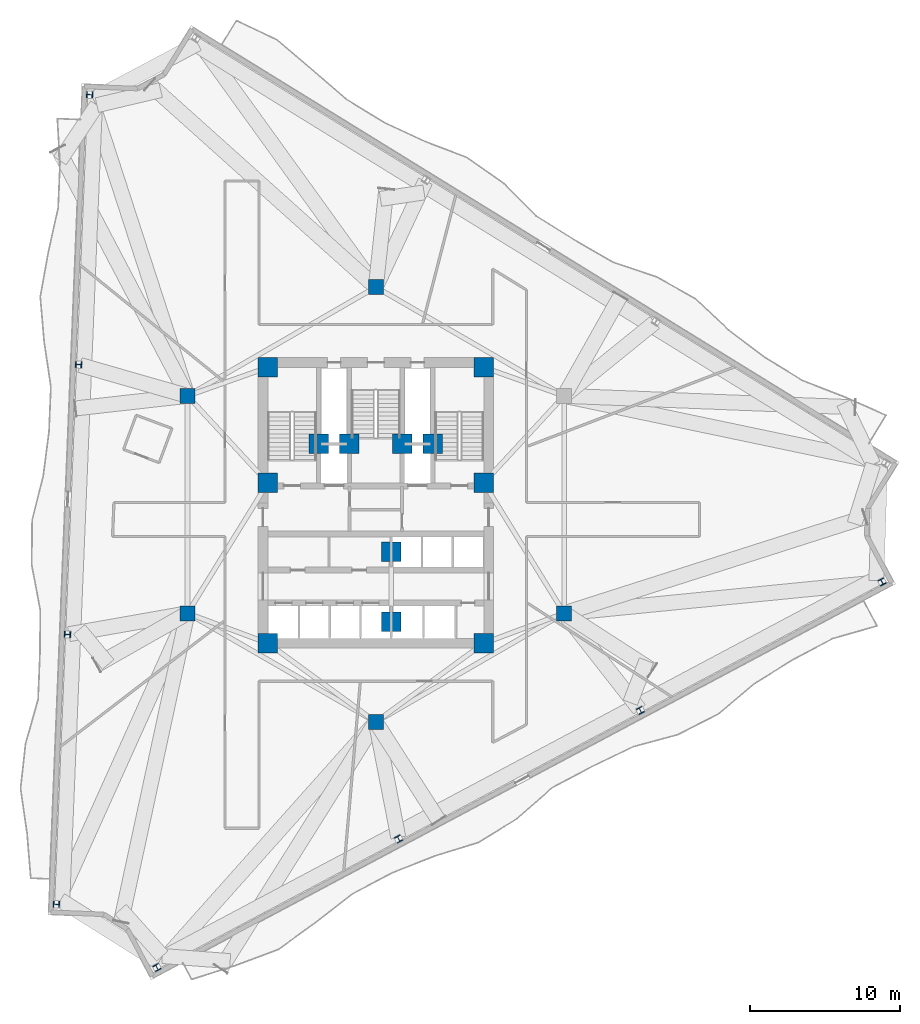
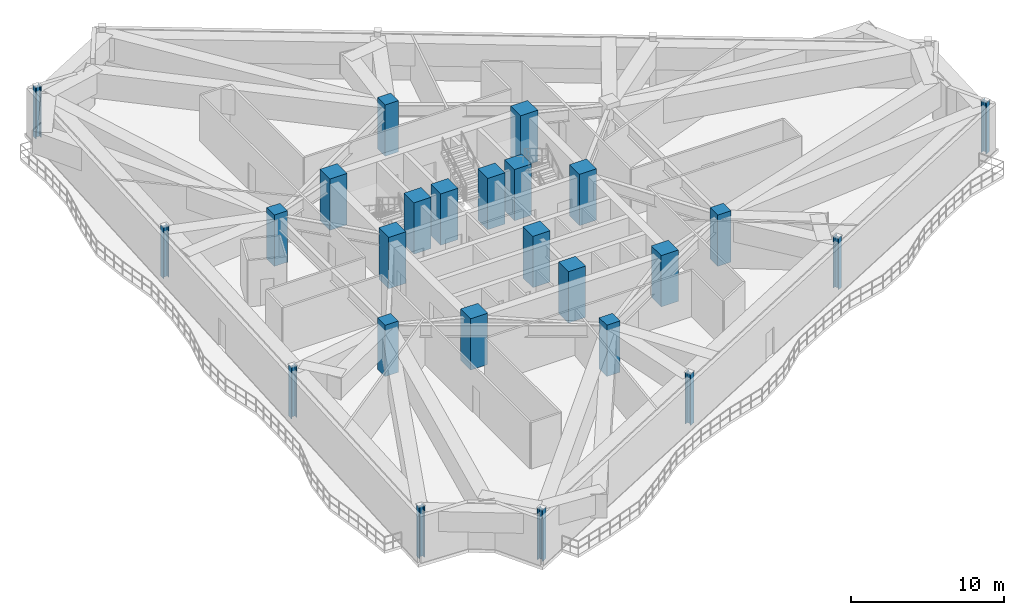
# One storey, part 1 of 14: 25 columns.
"""IFC4 building model written with IfcOpenShell, lengths in metres."""

from ifc_helpers import new_model, si_unit, direction, frame, origin, origin_2d, place, context, subcontext, project, spatial, rectangle, i_section, extrude, material, material_profile, profile_set, type_object, element, save


model = new_model("IFC4")

# Units and contexts
model_context = context("Model", 3, precision=1e-05, world=origin(), true_north=direction((0.0, 1.0)))
body_context = subcontext(model_context, "Body", "Model", "MODEL_VIEW")
ifc_project = project(units=[si_unit("LENGTHUNIT", "METRE"), si_unit("AREAUNIT", "SQUARE_METRE"), si_unit("VOLUMEUNIT", "CUBIC_METRE"), si_unit("PLANEANGLEUNIT", "RADIAN"), si_unit("MASSUNIT", "GRAM", prefix="KILO")], contexts=[model_context])

# Site, building, storey
site_placement = place(None, origin())
site = spatial("IfcSite", under=ifc_project, at=site_placement, CompositionType="ELEMENT")
building_placement = place(site_placement, origin())
building = spatial("IfcBuilding", under=site, at=building_placement, Name="Apsidion Concourse Tower", CompositionType="ELEMENT")
storey_placement = place(building_placement, frame((0.0, 0.0, 190.10009765625)))
storey = spatial("IfcBuildingStorey", under=building, at=storey_placement, Name="L44", CompositionType="ELEMENT", Elevation=190.10009765625)

# Columns
ifc_material_1 = material(Name="Concrete C50/60", Category="concrete")
ifc_material_profile_1 = material_profile(ifc_material_1, rectangle(XDim=1.0, YDim=1.0, at=origin_2d()), Name="RC 1000x1000")
ifc_profile_set_1 = profile_set([ifc_material_profile_1], Name="Concrete C50/60")
column_type_1 = type_object("IfcColumnType", Name="COL-RC-1000", PredefinedType="COLUMN", material=ifc_profile_set_1)
for number, where, z_axis, x_axis, name in (
    (1, (-12.56005859375, -7.25, 0.0), (0.0, 0.0, 1.0), (1.0, 0.0, 0.0), "L44 Interior Spine Column IC1"),
    (2, (12.56005859375, -7.25, 0.0), (0.0, 0.0, 1.0), (1.0, 0.0, 0.0), "L44 Interior Spine Column IC2"),
    (3, (0.0, 14.5, 0.0), (0.0, 0.0, 1.0), (1.0, 0.0, 0.0), "L44 Interior Spine Column IC4"),
    (4, (-12.56005859375, 7.25, 0.0), (0.0, 0.0, 1.0), (1.0, 0.0, 0.0), "L44 Interior Spine Column IC5"),
    (5, (0.0, -14.5, 0.0), (0.0, 0.0, 1.0), (1.0, 0.0, 0.0), "L44 Interior Spine Column IC6"),
):
    element("IfcColumn", number, at=place(storey_placement, frame(where, z_axis=z_axis, x_axis=x_axis)), inside=storey, type_object=column_type_1, Name=name, PredefinedType="COLUMN", context=body_context, shape_type="SweptSolid", body=[
        extrude(rectangle(XDim=1.0, YDim=1.0, at=origin_2d()), origin(), (0.0, 0.0, 1.0), 4.099853515625),
    ])
ifc_material_profile_2 = material_profile(ifc_material_1, rectangle(XDim=1.300048828125, YDim=1.300048828125, at=origin_2d()), Name="RC 1300x1300")
ifc_profile_set_2 = profile_set([ifc_material_profile_2], Name="Concrete C50/60")
column_type_2 = type_object("IfcColumnType", Name="COL-RC-1300", PredefinedType="COLUMN", material=ifc_profile_set_2)
for number, where, z_axis, x_axis, name in (
    (6, (-7.199951171875, -9.25, 0.0), (0.0, 0.0, 1.0), (1.0, 0.0, 0.0), "L44 Core Super-Column SC1"),
    (7, (7.199951171875, -9.25, 0.0), (0.0, 0.0, 1.0), (1.0, 0.0, 0.0), "L44 Core Super-Column SC2"),
    (8, (7.199951171875, 1.449951171875, 0.0), (0.0, 0.0, 1.0), (1.0, 0.0, 0.0), "L44 Core Super-Column SC3"),
    (9, (7.199951171875, 9.14990234375, 0.0), (0.0, 0.0, 1.0), (1.0, 0.0, 0.0), "L44 Core Super-Column SC4"),
    (10, (-7.199951171875, 9.14990234375, 0.0), (0.0, 0.0, 1.0), (1.0, 0.0, 0.0), "L44 Core Super-Column SC5"),
    (11, (-7.199951171875, 1.449951171875, 0.0), (0.0, 0.0, 1.0), (1.0, 0.0, 0.0), "L44 Core Super-Column SC6"),
    (12, (-3.800048828125, 4.050048828125, 0.0), (0.0, 0.0, 1.0), (1.0, 0.0, 0.0), "L44 Core Super-Column CC1"),
    (13, (3.800048828125, 4.050048828125, 0.0), (0.0, 0.0, 1.0), (1.0, 0.0, 0.0), "L44 Core Super-Column CC2"),
    (14, (-1.77490234375, 4.050048828125, 0.0), (0.0, 0.0, 1.0), (1.0, 0.0, 0.0), "L44 Core Super-Column CC3"),
    (15, (1.77490234375, 4.050048828125, 0.0), (0.0, 0.0, 1.0), (1.0, 0.0, 0.0), "L44 Core Super-Column CC4"),
    (16, (1.02490234375, -3.14990234375, 0.0), (0.0, 0.0, 1.0), (1.0, 0.0, 0.0), "L44 Core Super-Column CC5"),
    (17, (1.02490234375, -7.800048828125, 0.0), (0.0, 0.0, 1.0), (1.0, 0.0, 0.0), "L44 Core Super-Column CC6"),
):
    element("IfcColumn", number, at=place(storey_placement, frame(where, z_axis=z_axis, x_axis=x_axis)), inside=storey, type_object=column_type_2, Name=name, PredefinedType="COLUMN", context=body_context, shape_type="SweptSolid", body=[
        extrude(rectangle(XDim=1.300048828125, YDim=1.300048828125, at=origin_2d()), origin(), (0.0, 0.0, 1.0), 4.099853515625),
    ])
ifc_material_2 = material(Name="Structural steel ASTM A992 Grade 50", Category="steel")
ifc_material_profile_3 = material_profile(ifc_material_2, i_section(OverallWidth=0.406005859375, OverallDepth=0.4169921875, WebThickness=0.02978515625, FlangeThickness=0.048095703125, at=origin_2d()), Name="W14X257")
ifc_profile_set_3 = profile_set([ifc_material_profile_3], Name="Structural steel ASTM A992 Grade 50")
column_type_3 = type_object("IfcColumnType", Name="COL-W14-257", PredefinedType="COLUMN", material=ifc_profile_set_3)
for number, where, z_axis, x_axis, name in (
    (18, (-19.086181640625, 27.331298828125, 0.0), (0.0, 0.0, 1.0), (0.041003738744, 0.999158993058, 0.0), "L44 Rotated Perimeter Column PC01"),
    (19, (-19.82421875, 9.3349609375, 0.0), (0.0, 0.0, 1.0), (0.041003738744, 0.999158993058, 0.0), "L44 Rotated Perimeter Column PC02"),
    (20, (-20.56201171875, -8.661376953125, 0.0), (0.0, 0.0, 1.0), (0.041003738744, 0.999158993058, 0.0), "L44 Rotated Perimeter Column PC03"),
    (21, (-21.300048828125, -26.65771484375, 0.0), (0.0, 0.0, 1.0), (0.041003738744, 0.999158993058, 0.0), "L44 Rotated Perimeter Column PC04"),
    (22, (-14.599609375, -30.872802734375, 0.0), (0.0, 0.0, 1.0), (0.882947592859, 0.469471562786, 0.0), "L44 Rotated Perimeter Column PC05"),
    (23, (1.519775390625, -22.302001953125, 0.0), (0.0, 0.0, 1.0), (0.882947592859, 0.469471562786, 0.0), "L44 Rotated Perimeter Column PC06"),
    (24, (17.639404296875, -13.731201171875, 0.0), (0.0, 0.0, 1.0), (0.882947592859, 0.469471562786, 0.0), "L44 Rotated Perimeter Column PC07"),
    (25, (33.7587890625, -5.160400390625, 0.0), (0.0, 0.0, 1.0), (0.882947592859, 0.469471562786, 0.0), "L44 Rotated Perimeter Column PC08"),
):
    element("IfcColumn", number, at=place(storey_placement, frame(where, z_axis=z_axis, x_axis=x_axis)), inside=storey, type_object=column_type_3, Name=name, PredefinedType="COLUMN", context=body_context, shape_type="SweptSolid", body=[
        extrude(i_section(OverallWidth=0.406005859375, OverallDepth=0.4169921875, WebThickness=0.02978515625, FlangeThickness=0.048095703125, at=origin_2d()), origin(), (0.0, 0.0, 1.0), 4.099853515625),
    ])

save(model, "model.ifc")
